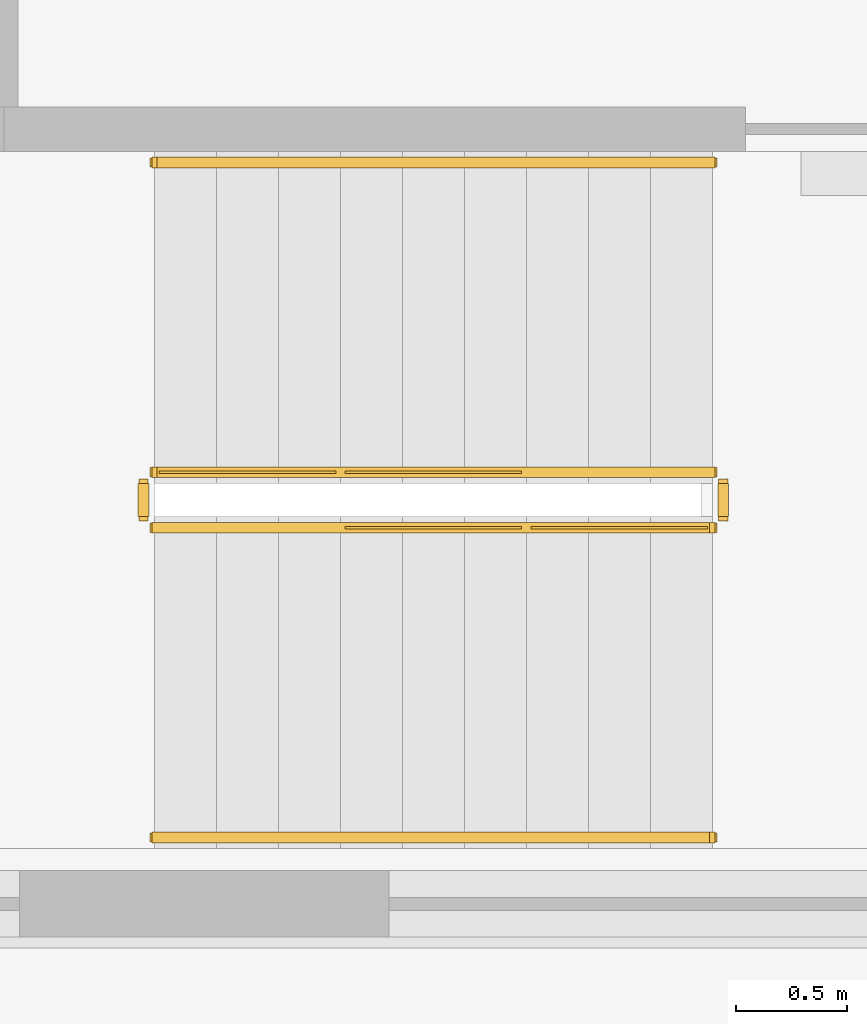
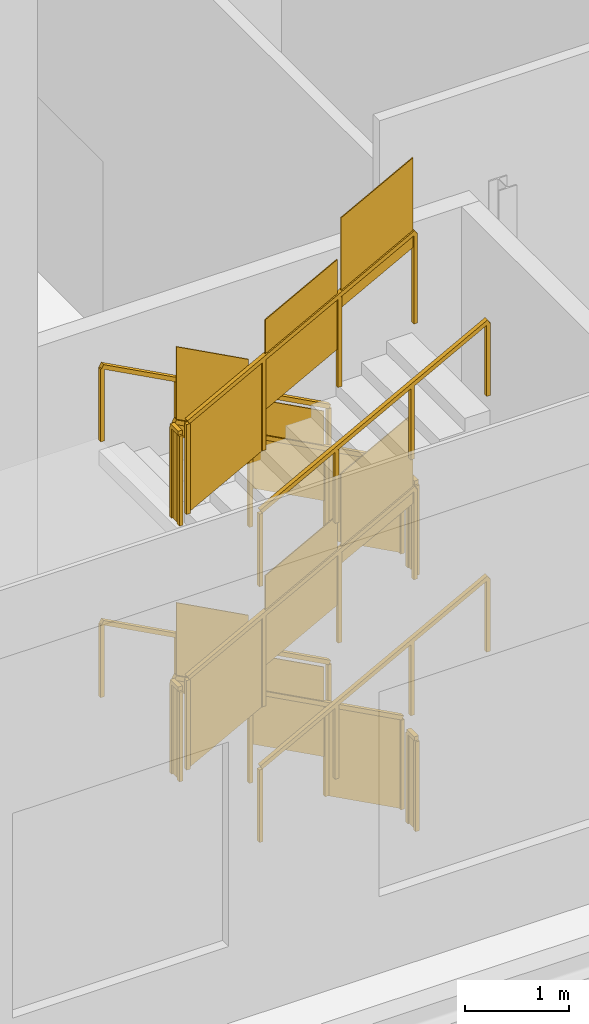
# One storey, part 25 of 31: 12 railings.
"""IFC4 building model written with IfcOpenShell, lengths in metres."""

from ifc_helpers import new_model, si_unit, direction, frame, origin, origin_2d, place, context, subcontext, project, spatial, polyline, rectangle, outline, extrude, material, type_object, element, save


model = new_model("IFC4")

# Units and contexts
model_context = context("Model", 3, precision=1e-05, world=origin(), true_north=direction((0.0, 1.0)))
body_context = subcontext(model_context, "Body", "Model", "MODEL_VIEW")
ifc_project = project(units=[si_unit("LENGTHUNIT", "METRE"), si_unit("AREAUNIT", "SQUARE_METRE"), si_unit("VOLUMEUNIT", "CUBIC_METRE"), si_unit("PLANEANGLEUNIT", "RADIAN"), si_unit("MASSUNIT", "GRAM", prefix="KILO")], contexts=[model_context])

# Site, building, storey
site_placement = place(None, origin())
site = spatial("IfcSite", under=ifc_project, at=site_placement, CompositionType="ELEMENT")
building_placement = place(site_placement, origin())
building = spatial("IfcBuilding", under=site, at=building_placement, Name="Cairn Pilgrim Tower", CompositionType="ELEMENT")
storey_placement = place(building_placement, frame((0.0, 0.0, 9.0)))
storey = spatial("IfcBuildingStorey", under=building, at=storey_placement, Name="L01", CompositionType="ELEMENT", Elevation=9.0)

# Railings
ifc_material = material(Name="Painted steel", Category="steel")
railing_type_1 = type_object("IfcRailingType", Name="PODIUM STAIR GUARD 1100", PredefinedType="GUARDRAIL", material=ifc_material)
railing_1_placement = place(storey_placement, frame((-25.60009765625, -26.25, 0.14990234375)))
element("IfcRailing", 1, at=railing_1_placement, inside=storey, type_object=railing_type_1, Name="L01 ST-HS stair guard 1", PredefinedType="GUARDRAIL", context=body_context, shape_type="SweptSolid", body=[
    extrude(rectangle(XDim=0.048095703125, YDim=0.048095703125, at=origin_2d()), frame((0.0, 0.0, 1.076171875), z_axis=(-0.881467274426, 0.0, 0.472245110209), x_axis=(0.0, -1.0, 0.0)), (0.0, 0.0, 1.0), 2.85888671875),
    extrude(rectangle(XDim=0.0419921875, YDim=0.0419921875, at=origin_2d()), origin(), (0.0, 0.0, 1.0), 1.052001953125),
    extrude(rectangle(XDim=0.0419921875, YDim=0.0419921875, at=origin_2d()), frame((-0.840087890625, 0.0, 0.449951171875)), (0.0, 0.0, 1.0), 1.052001953125),
    extrude(rectangle(XDim=0.0419921875, YDim=0.0419921875, at=origin_2d()), frame((-1.679931640625, 0.0, 0.900146484375)), (0.0, 0.0, 1.0), 1.052001953125),
    extrude(rectangle(XDim=0.0419921875, YDim=0.0419921875, at=origin_2d()), frame((-2.52001953125, 0.0, 1.35009765625)), (0.0, 0.0, 1.0), 1.052001953125),
    extrude(outline(polyline([(0.02099609375, 0.01123046875), (0.819091796875, 0.438720703125), (0.819091796875, 1.49072265625), (0.02099609375, 1.063232421875), (0.02099609375, 0.01123046875)])), frame((0.0, -0.005859375, 0.0), z_axis=(0.0, 1.0, 0.0), x_axis=(-1.0, 0.0, 0.0)), (0.0, 0.0, 1.0), 0.011962890625),
    extrude(outline(polyline([(0.02099609375, 0.461181640625), (0.819091796875, 0.888916015625), (0.819091796875, 1.94091796875), (0.02099609375, 1.51318359375), (0.02099609375, 0.461181640625)])), frame((-0.840087890625, -0.005859375, 0.449951171875), z_axis=(0.0, 1.0, 0.0), x_axis=(-1.0, 0.0, 0.0)), (0.0, 0.0, 1.0), 0.011962890625),
    extrude(outline(polyline([(0.02099609375, 0.911376953125), (0.819091796875, 1.3388671875), (0.819091796875, 2.390869140625), (0.02099609375, 1.96337890625), (0.02099609375, 0.911376953125)])), frame((-1.679931640625, -0.005859375, 0.900146484375), z_axis=(0.0, 1.0, 0.0), x_axis=(-1.0, 0.0, 0.0)), (0.0, 0.0, 1.0), 0.011962890625),
])
railing_2_placement = place(storey_placement, frame((-28.169921875, -26.300048828125, 1.5)))
element("IfcRailing", 2, at=railing_2_placement, inside=storey, type_object=railing_type_1, Name="L01 ST-HS stair guard 2", PredefinedType="GUARDRAIL", context=body_context, shape_type="SweptSolid", body=[
    extrude(rectangle(XDim=0.048095703125, YDim=0.048095703125, at=origin_2d()), frame((0.0, 0.0, 1.076171875), z_axis=(0.0, -1.0, 0.0), x_axis=(1.0, 0.0, 0.0)), (0.0, 0.0, 1.0), 0.14990234375),
    extrude(rectangle(XDim=0.0419921875, YDim=0.0419921875, at=origin_2d()), origin(), (0.0, 0.0, 1.0), 1.052001953125),
    extrude(rectangle(XDim=0.0419921875, YDim=0.0419921875, at=origin_2d()), frame((0.0, -0.14990234375, 0.0)), (0.0, 0.0, 1.0), 1.052001953125),
    extrude(outline(polyline([(0.02099609375, 0.0), (0.12890625, 0.0), (0.12890625, 1.052001953125), (0.02099609375, 1.052001953125), (0.02099609375, 0.0)])), frame((0.005859375, 0.0, 0.0), z_axis=(-1.0, 0.0, 0.0), x_axis=(0.0, -1.0, 0.0)), (0.0, 0.0, 1.0), 0.011962890625),
])
railing_3_placement = place(storey_placement, frame((-28.1201171875, -26.5, 1.64990234375)))
element("IfcRailing", 3, at=railing_3_placement, inside=storey, type_object=railing_type_1, Name="L01 ST-HS stair guard 3", PredefinedType="GUARDRAIL", context=body_context, shape_type="SweptSolid", body=[
    extrude(rectangle(XDim=0.048095703125, YDim=0.048095703125, at=origin_2d()), frame((0.0, 0.0, 1.076171875), z_axis=(0.881467274426, 0.0, 0.472245110209), x_axis=(0.0, 1.0, 0.0)), (0.0, 0.0, 1.0), 2.85888671875),
    extrude(rectangle(XDim=0.0419921875, YDim=0.0419921875, at=origin_2d()), origin(), (0.0, 0.0, 1.0), 1.052001953125),
    extrude(rectangle(XDim=0.0419921875, YDim=0.0419921875, at=origin_2d()), frame((0.840087890625, 0.0, 0.449951171875)), (0.0, 0.0, 1.0), 1.052001953125),
    extrude(rectangle(XDim=0.0419921875, YDim=0.0419921875, at=origin_2d()), frame((1.679931640625, 0.0, 0.900146484375)), (0.0, 0.0, 1.0), 1.052001953125),
    extrude(rectangle(XDim=0.0419921875, YDim=0.0419921875, at=origin_2d()), frame((2.52001953125, 0.0, 1.35009765625)), (0.0, 0.0, 1.0), 1.052001953125),
    extrude(outline(polyline([(0.02099609375, 0.01123046875), (0.819091796875, 0.438720703125), (0.819091796875, 1.49072265625), (0.02099609375, 1.063232421875), (0.02099609375, 0.01123046875)])), frame((0.0, 0.005859375, 0.0), z_axis=(0.0, -1.0, 0.0), x_axis=(1.0, 0.0, 0.0)), (0.0, 0.0, 1.0), 0.011962890625),
    extrude(outline(polyline([(0.02099609375, 0.461181640625), (0.819091796875, 0.888916015625), (0.819091796875, 1.94091796875), (0.02099609375, 1.51318359375), (0.02099609375, 0.461181640625)])), frame((0.840087890625, 0.005859375, 0.449951171875), z_axis=(0.0, -1.0, 0.0), x_axis=(1.0, 0.0, 0.0)), (0.0, 0.0, 1.0), 0.011962890625),
    extrude(outline(polyline([(0.02099609375, 0.911376953125), (0.819091796875, 1.3388671875), (0.819091796875, 2.390869140625), (0.02099609375, 1.96337890625), (0.02099609375, 0.911376953125)])), frame((1.679931640625, 0.005859375, 0.900146484375), z_axis=(0.0, -1.0, 0.0), x_axis=(1.0, 0.0, 0.0)), (0.0, 0.0, 1.0), 0.011962890625),
])
railing_4_placement = place(storey_placement, frame((-25.550048828125, -26.300048828125, 3.0)))
element("IfcRailing", 4, at=railing_4_placement, inside=storey, type_object=railing_type_1, Name="L01 ST-HS stair guard 4", PredefinedType="GUARDRAIL", context=body_context, shape_type="SweptSolid", body=[
    extrude(rectangle(XDim=0.048095703125, YDim=0.048095703125, at=origin_2d()), frame((0.0, 0.0, 1.076171875), z_axis=(0.0, -1.0, 0.0), x_axis=(1.0, 0.0, 0.0)), (0.0, 0.0, 1.0), 0.14990234375),
    extrude(rectangle(XDim=0.0419921875, YDim=0.0419921875, at=origin_2d()), origin(), (0.0, 0.0, 1.0), 1.052001953125),
    extrude(rectangle(XDim=0.0419921875, YDim=0.0419921875, at=origin_2d()), frame((0.0, -0.14990234375, 0.0)), (0.0, 0.0, 1.0), 1.052001953125),
    extrude(outline(polyline([(0.02099609375, 0.0), (0.12890625, 0.0), (0.12890625, 1.052001953125), (0.02099609375, 1.052001953125), (0.02099609375, 0.0)])), frame((0.005859375, 0.0, 0.0), z_axis=(-1.0, 0.0, 0.0), x_axis=(0.0, -1.0, 0.0)), (0.0, 0.0, 1.0), 0.011962890625),
])
railing_5_placement = place(storey_placement, frame((-25.60009765625, -26.25, 3.14990234375)))
element("IfcRailing", 5, at=railing_5_placement, inside=storey, type_object=railing_type_1, Name="L01 ST-HS stair guard 5", PredefinedType="GUARDRAIL", context=body_context, shape_type="SweptSolid", body=[
    extrude(rectangle(XDim=0.048095703125, YDim=0.048095703125, at=origin_2d()), frame((0.0, 0.0, 1.076171875), z_axis=(-0.881467274426, 0.0, 0.472245110209), x_axis=(0.0, -1.0, 0.0)), (0.0, 0.0, 1.0), 2.85888671875),
    extrude(rectangle(XDim=0.0419921875, YDim=0.0419921875, at=origin_2d()), origin(), (0.0, 0.0, 1.0), 1.052001953125),
    extrude(rectangle(XDim=0.0419921875, YDim=0.0419921875, at=origin_2d()), frame((-0.840087890625, 0.0, 0.449951171875)), (0.0, 0.0, 1.0), 1.052001953125),
    extrude(rectangle(XDim=0.0419921875, YDim=0.0419921875, at=origin_2d()), frame((-1.679931640625, 0.0, 0.900146484375)), (0.0, 0.0, 1.0), 1.052001953125),
    extrude(rectangle(XDim=0.0419921875, YDim=0.0419921875, at=origin_2d()), frame((-2.52001953125, 0.0, 1.35009765625)), (0.0, 0.0, 1.0), 1.052001953125),
    extrude(outline(polyline([(0.02099609375, 0.01123046875), (0.819091796875, 0.438720703125), (0.819091796875, 1.49072265625), (0.02099609375, 1.063232421875), (0.02099609375, 0.01123046875)])), frame((0.0, -0.005859375, 0.0), z_axis=(0.0, 1.0, 0.0), x_axis=(-1.0, 0.0, 0.0)), (0.0, 0.0, 1.0), 0.011962890625),
    extrude(outline(polyline([(0.02099609375, 0.461181640625), (0.819091796875, 0.888916015625), (0.819091796875, 1.94091796875), (0.02099609375, 1.51318359375), (0.02099609375, 0.461181640625)])), frame((-0.840087890625, -0.005859375, 0.449951171875), z_axis=(0.0, 1.0, 0.0), x_axis=(-1.0, 0.0, 0.0)), (0.0, 0.0, 1.0), 0.011962890625),
    extrude(outline(polyline([(0.02099609375, 0.911376953125), (0.819091796875, 1.3388671875), (0.819091796875, 2.390869140625), (0.02099609375, 1.96337890625), (0.02099609375, 0.911376953125)])), frame((-1.679931640625, -0.005859375, 0.900146484375), z_axis=(0.0, 1.0, 0.0), x_axis=(-1.0, 0.0, 0.0)), (0.0, 0.0, 1.0), 0.011962890625),
])
railing_6_placement = place(storey_placement, frame((-28.169921875, -26.300048828125, 4.5)))
element("IfcRailing", 6, at=railing_6_placement, inside=storey, type_object=railing_type_1, Name="L01 ST-HS stair guard 6", PredefinedType="GUARDRAIL", context=body_context, shape_type="SweptSolid", body=[
    extrude(rectangle(XDim=0.048095703125, YDim=0.048095703125, at=origin_2d()), frame((0.0, 0.0, 1.076171875), z_axis=(0.0, -1.0, 0.0), x_axis=(1.0, 0.0, 0.0)), (0.0, 0.0, 1.0), 0.14990234375),
    extrude(rectangle(XDim=0.0419921875, YDim=0.0419921875, at=origin_2d()), origin(), (0.0, 0.0, 1.0), 1.052001953125),
    extrude(rectangle(XDim=0.0419921875, YDim=0.0419921875, at=origin_2d()), frame((0.0, -0.14990234375, 0.0)), (0.0, 0.0, 1.0), 1.052001953125),
    extrude(outline(polyline([(0.02099609375, 0.0), (0.12890625, 0.0), (0.12890625, 1.052001953125), (0.02099609375, 1.052001953125), (0.02099609375, 0.0)])), frame((0.005859375, 0.0, 0.0), z_axis=(-1.0, 0.0, 0.0), x_axis=(0.0, -1.0, 0.0)), (0.0, 0.0, 1.0), 0.011962890625),
])
railing_7_placement = place(storey_placement, frame((-28.1201171875, -26.5, 4.64990234375)))
element("IfcRailing", 7, at=railing_7_placement, inside=storey, type_object=railing_type_1, Name="L01 ST-HS stair guard 7", PredefinedType="GUARDRAIL", context=body_context, shape_type="SweptSolid", body=[
    extrude(rectangle(XDim=0.048095703125, YDim=0.048095703125, at=origin_2d()), frame((0.0, 0.0, 1.076171875), z_axis=(0.881467274426, 0.0, 0.472245110209), x_axis=(0.0, 1.0, 0.0)), (0.0, 0.0, 1.0), 2.85888671875),
    extrude(rectangle(XDim=0.0419921875, YDim=0.0419921875, at=origin_2d()), origin(), (0.0, 0.0, 1.0), 1.052001953125),
    extrude(rectangle(XDim=0.0419921875, YDim=0.0419921875, at=origin_2d()), frame((0.840087890625, 0.0, 0.449951171875)), (0.0, 0.0, 1.0), 1.052001953125),
    extrude(rectangle(XDim=0.0419921875, YDim=0.0419921875, at=origin_2d()), frame((1.679931640625, 0.0, 0.900146484375)), (0.0, 0.0, 1.0), 1.052001953125),
    extrude(rectangle(XDim=0.0419921875, YDim=0.0419921875, at=origin_2d()), frame((2.52001953125, 0.0, 1.35009765625)), (0.0, 0.0, 1.0), 1.052001953125),
    extrude(outline(polyline([(0.02099609375, 0.01123046875), (0.819091796875, 0.438720703125), (0.819091796875, 1.49072265625), (0.02099609375, 1.063232421875), (0.02099609375, 0.01123046875)])), frame((0.0, 0.005859375, 0.0), z_axis=(0.0, -1.0, 0.0), x_axis=(1.0, 0.0, 0.0)), (0.0, 0.0, 1.0), 0.011962890625),
    extrude(outline(polyline([(0.02099609375, 0.461181640625), (0.819091796875, 0.888916015625), (0.819091796875, 1.94091796875), (0.02099609375, 1.51318359375), (0.02099609375, 0.461181640625)])), frame((0.840087890625, 0.005859375, 0.449951171875), z_axis=(0.0, -1.0, 0.0), x_axis=(1.0, 0.0, 0.0)), (0.0, 0.0, 1.0), 0.011962890625),
    extrude(outline(polyline([(0.02099609375, 0.911376953125), (0.819091796875, 1.3388671875), (0.819091796875, 2.390869140625), (0.02099609375, 1.96337890625), (0.02099609375, 0.911376953125)])), frame((1.679931640625, 0.005859375, 0.900146484375), z_axis=(0.0, -1.0, 0.0), x_axis=(1.0, 0.0, 0.0)), (0.0, 0.0, 1.0), 0.011962890625),
])
railing_8_placement = place(storey_placement, frame((-25.550048828125, -26.300048828125, 0.0)))
element("IfcRailing", 8, at=railing_8_placement, inside=storey, type_object=railing_type_1, Name="L01 ST-HS stair guard 8", PredefinedType="GUARDRAIL", context=body_context, shape_type="SweptSolid", body=[
    extrude(rectangle(XDim=0.048095703125, YDim=0.048095703125, at=origin_2d()), frame((0.0, 0.0, 1.076171875), z_axis=(0.0, -1.0, 0.0), x_axis=(1.0, 0.0, 0.0)), (0.0, 0.0, 1.0), 0.14990234375),
    extrude(rectangle(XDim=0.0419921875, YDim=0.0419921875, at=origin_2d()), origin(), (0.0, 0.0, 1.0), 1.052001953125),
    extrude(rectangle(XDim=0.0419921875, YDim=0.0419921875, at=origin_2d()), frame((0.0, -0.14990234375, 0.0)), (0.0, 0.0, 1.0), 1.052001953125),
    extrude(outline(polyline([(0.02099609375, 0.0), (0.12890625, 0.0), (0.12890625, 1.052001953125), (0.02099609375, 1.052001953125), (0.02099609375, 0.0)])), frame((0.005859375, 0.0, 0.0), z_axis=(-1.0, 0.0, 0.0), x_axis=(0.0, -1.0, 0.0)), (0.0, 0.0, 1.0), 0.011962890625),
])
railing_type_2 = type_object("IfcRailingType", Name="PODIUM STAIR HANDRAIL 900", PredefinedType="HANDRAIL", material=ifc_material)
railing_9_placement = place(storey_placement, frame((-25.60009765625, -24.85009765625, 0.14990234375)))
element("IfcRailing", 9, at=railing_9_placement, inside=storey, type_object=railing_type_2, Name="L01 ST-HS stair handrail 1", PredefinedType="HANDRAIL", context=body_context, shape_type="SweptSolid", body=[
    extrude(rectangle(XDim=0.048095703125, YDim=0.048095703125, at=origin_2d()), frame((0.0, 0.0, 0.8759765625), z_axis=(-0.881467274426, 0.0, 0.472245110209), x_axis=(0.0, -1.0, 0.0)), (0.0, 0.0, 1.0), 2.85888671875),
    extrude(rectangle(XDim=0.0419921875, YDim=0.0419921875, at=origin_2d()), origin(), (0.0, 0.0, 1.0), 0.851806640625),
    extrude(rectangle(XDim=0.0419921875, YDim=0.0419921875, at=origin_2d()), frame((-0.840087890625, 0.0, 0.449951171875)), (0.0, 0.0, 1.0), 0.851806640625),
    extrude(rectangle(XDim=0.0419921875, YDim=0.0419921875, at=origin_2d()), frame((-1.679931640625, 0.0, 0.900146484375)), (0.0, 0.0, 1.0), 0.851806640625),
    extrude(rectangle(XDim=0.0419921875, YDim=0.0419921875, at=origin_2d()), frame((-2.52001953125, 0.0, 1.35009765625)), (0.0, 0.0, 1.0), 0.851806640625),
])
railing_10_placement = place(storey_placement, frame((-28.1201171875, -27.89990234375, 1.64990234375)))
element("IfcRailing", 10, at=railing_10_placement, inside=storey, type_object=railing_type_2, Name="L01 ST-HS stair handrail 2", PredefinedType="HANDRAIL", context=body_context, shape_type="SweptSolid", body=[
    extrude(rectangle(XDim=0.048095703125, YDim=0.048095703125, at=origin_2d()), frame((0.0, 0.0, 0.8759765625), z_axis=(0.881467274426, 0.0, 0.472245110209), x_axis=(0.0, 1.0, 0.0)), (0.0, 0.0, 1.0), 2.85888671875),
    extrude(rectangle(XDim=0.0419921875, YDim=0.0419921875, at=origin_2d()), origin(), (0.0, 0.0, 1.0), 0.851806640625),
    extrude(rectangle(XDim=0.0419921875, YDim=0.0419921875, at=origin_2d()), frame((0.840087890625, 0.0, 0.449951171875)), (0.0, 0.0, 1.0), 0.851806640625),
    extrude(rectangle(XDim=0.0419921875, YDim=0.0419921875, at=origin_2d()), frame((1.679931640625, 0.0, 0.900146484375)), (0.0, 0.0, 1.0), 0.851806640625),
    extrude(rectangle(XDim=0.0419921875, YDim=0.0419921875, at=origin_2d()), frame((2.52001953125, 0.0, 1.35009765625)), (0.0, 0.0, 1.0), 0.851806640625),
])
railing_11_placement = place(storey_placement, frame((-25.60009765625, -24.85009765625, 3.14990234375)))
element("IfcRailing", 11, at=railing_11_placement, inside=storey, type_object=railing_type_2, Name="L01 ST-HS stair handrail 3", PredefinedType="HANDRAIL", context=body_context, shape_type="SweptSolid", body=[
    extrude(rectangle(XDim=0.048095703125, YDim=0.048095703125, at=origin_2d()), frame((0.0, 0.0, 0.8759765625), z_axis=(-0.881467274426, 0.0, 0.472245110209), x_axis=(0.0, -1.0, 0.0)), (0.0, 0.0, 1.0), 2.85888671875),
    extrude(rectangle(XDim=0.0419921875, YDim=0.0419921875, at=origin_2d()), origin(), (0.0, 0.0, 1.0), 0.851806640625),
    extrude(rectangle(XDim=0.0419921875, YDim=0.0419921875, at=origin_2d()), frame((-0.840087890625, 0.0, 0.449951171875)), (0.0, 0.0, 1.0), 0.851806640625),
    extrude(rectangle(XDim=0.0419921875, YDim=0.0419921875, at=origin_2d()), frame((-1.679931640625, 0.0, 0.900146484375)), (0.0, 0.0, 1.0), 0.851806640625),
    extrude(rectangle(XDim=0.0419921875, YDim=0.0419921875, at=origin_2d()), frame((-2.52001953125, 0.0, 1.35009765625)), (0.0, 0.0, 1.0), 0.851806640625),
])
railing_12_placement = place(storey_placement, frame((-28.1201171875, -27.89990234375, 4.64990234375)))
element("IfcRailing", 12, at=railing_12_placement, inside=storey, type_object=railing_type_2, Name="L01 ST-HS stair handrail 4", PredefinedType="HANDRAIL", context=body_context, shape_type="SweptSolid", body=[
    extrude(rectangle(XDim=0.048095703125, YDim=0.048095703125, at=origin_2d()), frame((0.0, 0.0, 0.8759765625), z_axis=(0.881467274426, 0.0, 0.472245110209), x_axis=(0.0, 1.0, 0.0)), (0.0, 0.0, 1.0), 2.85888671875),
    extrude(rectangle(XDim=0.0419921875, YDim=0.0419921875, at=origin_2d()), origin(), (0.0, 0.0, 1.0), 0.851806640625),
    extrude(rectangle(XDim=0.0419921875, YDim=0.0419921875, at=origin_2d()), frame((0.840087890625, 0.0, 0.449951171875)), (0.0, 0.0, 1.0), 0.851806640625),
    extrude(rectangle(XDim=0.0419921875, YDim=0.0419921875, at=origin_2d()), frame((1.679931640625, 0.0, 0.900146484375)), (0.0, 0.0, 1.0), 0.851806640625),
    extrude(rectangle(XDim=0.0419921875, YDim=0.0419921875, at=origin_2d()), frame((2.52001953125, 0.0, 1.35009765625)), (0.0, 0.0, 1.0), 0.851806640625),
])

save(model, "model.ifc")
